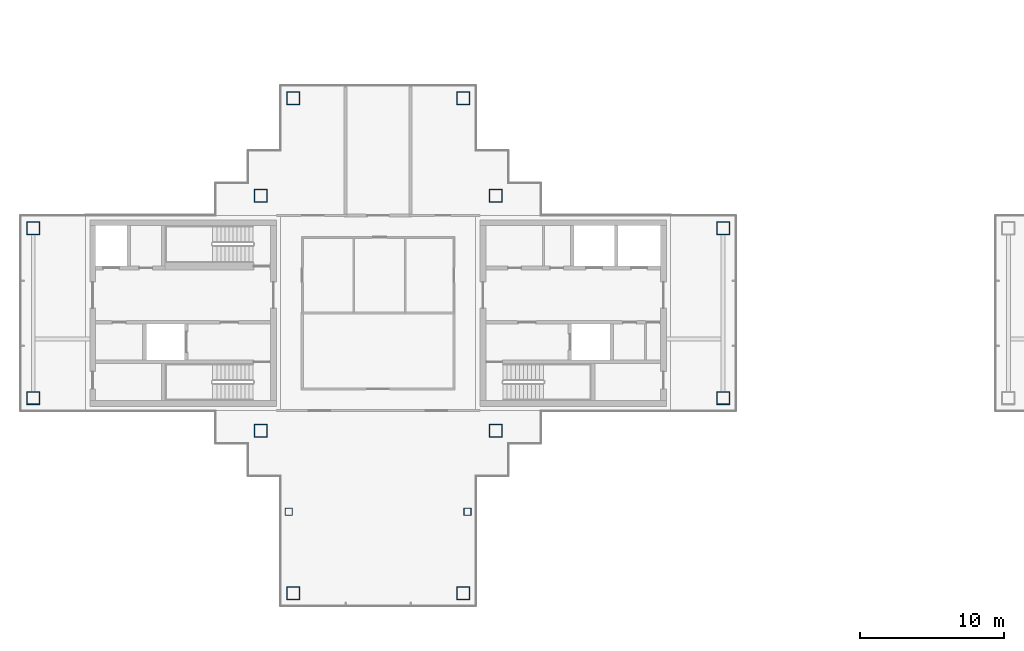
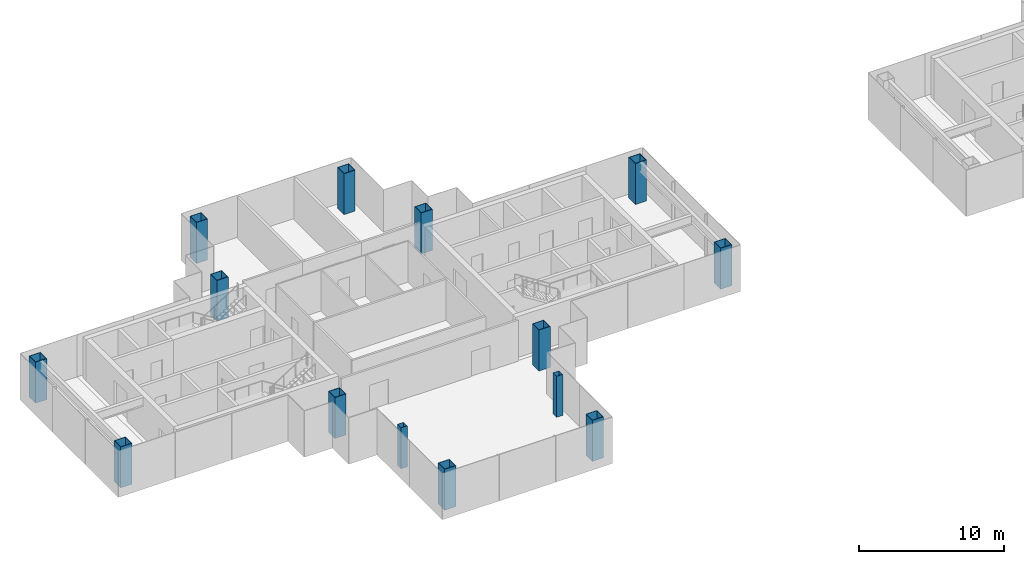
# One storey, part 1 of 15: 14 columns.
"""IFC4 building model written with IfcOpenShell, lengths in metres."""

import ifcopenshell
import ifcopenshell.guid

model = None  # the IFC model being written
_history = None  # IfcOwnerHistory: only IFC2X3 demands one
_inside = {}  # id of a spatial element -> (the spatial element, [elements in it])
_under = {}  # id of a project, library or spatial element -> (it, [spatial elements below it])
_declared = {}  # id of a project -> (the project, [libraries it declares])
_typed = {}  # id of a type object -> (the type object, [elements of that type])
_made_of = {}  # id of a material, layer set ... -> (it, [elements and type objects made of it])


def new_model(schema):
    """Start an empty IFC model of exactly this schema.

    Asked for "IFC4X3", IfcOpenShell would pick the latest addendum, in which some entities
    have other attributes; the version numbers below select the first issue.
    IFC2X3 requires an IfcOwnerHistory on every rooted entity: one is made here for all.
    """
    global model, _history
    if schema == "IFC4X3":
        model = ifcopenshell.file(schema_version=(4, 3, 0, 0))
    else:
        model = ifcopenshell.file(schema=schema)
    _inside.clear()
    _under.clear()
    _declared.clear()
    _typed.clear()
    _made_of.clear()
    _history = None
    if model.schema == "IFC2X3":
        org = make("IfcOrganization", Name="unknown")
        user = make(
            "IfcPersonAndOrganization",
            ThePerson=make("IfcPerson", FamilyName="unknown"),
            TheOrganization=org,
        )
        app = make(
            "IfcApplication",
            ApplicationDeveloper=org,
            Version="unknown",
            ApplicationFullName="unknown",
            ApplicationIdentifier="unknown",
        )
        _history = make(
            "IfcOwnerHistory",
            OwningUser=user,
            OwningApplication=app,
            ChangeAction="ADDED",
            CreationDate=0,
        )
    return model


def make(cls, **values):
    """One entity of the class cls with the attributes given. An attribute that is None is left unset."""
    return model.create_entity(
        cls, **{name: value for name, value in values.items() if value is not None}
    )


def rooted(cls, **values):
    """An entity with a GlobalId (a new one), such as an element, a storey or a relation."""
    return make(cls, GlobalId=ifcopenshell.guid.new(), OwnerHistory=_history, **values)


def si_unit(unit_type, name, prefix=None):
    """IfcSIUnit, for example si_unit("LENGTHUNIT", "METRE", prefix="MILLI")."""
    return make("IfcSIUnit", UnitType=unit_type, Prefix=prefix, Name=name)


def assignment(units):
    """IfcUnitAssignment: the units of a project."""
    return None if units is None else make("IfcUnitAssignment", Units=units)


def point(xyz):
    """IfcCartesianPoint."""
    return None if xyz is None else make("IfcCartesianPoint", Coordinates=xyz)


def direction(xyz):
    """IfcDirection."""
    return None if xyz is None else make("IfcDirection", DirectionRatios=xyz)


def frame(location, z_axis=None, x_axis=None):
    """IfcAxis2Placement3D, a coordinate frame: its origin and axes. An axis left out is left unset."""
    return make(
        "IfcAxis2Placement3D",
        Location=point(location),
        Axis=direction(z_axis),
        RefDirection=direction(x_axis),
    )


def frame_2d(location, x_axis=None):
    """IfcAxis2Placement2D, a coordinate frame in the plane: its origin and x axis."""
    return make(
        "IfcAxis2Placement2D", Location=point(location), RefDirection=direction(x_axis)
    )


def origin():
    """The frame at (0, 0, 0) with its axes left unset."""
    return frame((0.0, 0.0, 0.0))


def origin_2d():
    """The frame at (0, 0) in the plane with its x axis left unset."""
    return frame_2d((0.0, 0.0))


def place(relative_to, where):
    """IfcLocalPlacement: puts the frame where relative to a parent placement (None: the world)."""
    return make(
        "IfcLocalPlacement", PlacementRelTo=relative_to, RelativePlacement=where
    )


def context(
    kind, dimensions, precision=None, world=None, true_north=None, identifier=None
):
    """IfcGeometricRepresentationContext, for example the 3D "Model" context."""
    return make(
        "IfcGeometricRepresentationContext",
        ContextIdentifier=identifier,
        ContextType=kind,
        CoordinateSpaceDimension=dimensions,
        Precision=precision,
        WorldCoordinateSystem=world,
        TrueNorth=true_north,
    )


def subcontext(parent, identifier, kind, view, scale=None):
    """IfcGeometricRepresentationSubContext, for example "Body" below "Model"."""
    return make(
        "IfcGeometricRepresentationSubContext",
        ContextIdentifier=identifier,
        ContextType=kind,
        ParentContext=parent,
        TargetScale=scale,
        TargetView=view,
    )


def project(units=None, contexts=None):
    """IfcProject with its units and contexts."""
    return rooted(
        "IfcProject",
        Name="project",
        RepresentationContexts=contexts,
        UnitsInContext=assignment(units),
    )


def spatial(cls, under=None, at=None, **own):
    """A site, building, storey or space (cls), placed at a placement, below another one or the project."""
    s = rooted(cls, ObjectPlacement=at, **own)
    if under is not None:
        _under.setdefault(under.id(), (under, []))[1].append(s)
    return s


def profile(cls, at=None, kind="AREA", **sizes):
    """A parametric profile (cls). Its sizes go by their IFC names, for example OverallWidth=200.0."""
    return make(cls, ProfileType=kind, Position=at, **sizes)


def hollow_rectangle(**sizes):
    """IfcRectangleHollowProfileDef."""
    return profile("IfcRectangleHollowProfileDef", **sizes)


def extrude(swept, where, along, depth):
    """IfcExtrudedAreaSolid: the profile swept, set in the frame where, extruded along a direction by depth."""
    return make(
        "IfcExtrudedAreaSolid",
        SweptArea=swept,
        Position=where,
        ExtrudedDirection=direction(along),
        Depth=depth,
    )


def shape(context_of_items, identifier, shape_type, items):
    """IfcShapeRepresentation: the items that make up one representation, for example the "Body"."""
    return make(
        "IfcShapeRepresentation",
        ContextOfItems=context_of_items,
        RepresentationIdentifier=identifier,
        RepresentationType=shape_type,
        Items=items,
    )


def material(Name=None, Category=None):
    """IfcMaterial."""
    return make("IfcMaterial", Name=Name, Category=Category)


def material_profile(
    of_material, cross_section, Name=None, Category=None, Priority=None
):
    """IfcMaterialProfile: a cross section and its material."""
    return make(
        "IfcMaterialProfile",
        Name=Name,
        Material=of_material,
        Profile=cross_section,
        Priority=Priority,
        Category=Category,
    )


def profile_set(profiles, Name=None, composite=None):
    """IfcMaterialProfileSet."""
    return make(
        "IfcMaterialProfileSet",
        Name=Name,
        MaterialProfiles=profiles,
        CompositeProfile=composite,
    )


def made_of(thing, what):
    """Note that an element or type object is made of a material, layer set ...; save() writes the relation."""
    if what is not None:
        _made_of.setdefault(what.id(), (what, []))[1].append(thing)
    return thing


def type_object(cls, material=None, **own):
    """A type object (cls), such as IfcWallType, which elements share."""
    return made_of(rooted(cls, **own), material)


def element(
    cls,
    number,
    at=None,
    inside=None,
    cuts=None,
    type_object=None,
    material=None,
    context=None,
    identifier="Body",
    shape_type=None,
    held_by="IfcProductDefinitionShape",
    body=None,
    shapes=None,
    **own,
):
    """One element of the class cls, such as IfcWall. Its Tag is "e" and its number.

    at: its placement. inside: the storey or other place that contains it. cuts: it is an
    opening in that element (IfcRelVoidsElement). A single representation is given by context,
    identifier, shape_type and body (its items); several are given by shapes. held_by: the class
    of the entity that holds the representations. save() writes the other relations.
    """
    e = rooted(cls, Tag="e%d" % number, ObjectPlacement=at, **own)
    if body is not None:
        shapes = [shape(context, identifier, shape_type, body)]
    if shapes is not None:
        e.Representation = make(held_by, Representations=shapes)
    if inside is not None:
        _inside.setdefault(inside.id(), (inside, []))[1].append(e)
    if cuts is not None:
        rooted(
            "IfcRelVoidsElement", RelatingBuildingElement=cuts, RelatedOpeningElement=e
        )
    if type_object is not None:
        _typed.setdefault(type_object.id(), (type_object, []))[1].append(e)
    return made_of(e, material)


def aggregate(whole, parts):
    """IfcRelAggregates: a whole, such as a stair, and the parts it consists of."""
    return rooted("IfcRelAggregates", RelatingObject=whole, RelatedObjects=parts)


def save(model, path):
    """Write the relations noted so far, then the file.

    IfcRelAggregates (storeys below a building ...), IfcRelContainedInSpatialStructure (elements
    in a storey), IfcRelDefinesByType, IfcRelAssociatesMaterial and IfcRelDeclares: one each for
    every whole, place, type object, material and project.
    """
    for whole, parts in _under.values():
        aggregate(whole, parts)
    for where, things in _inside.values():
        rooted(
            "IfcRelContainedInSpatialStructure",
            RelatedElements=things,
            RelatingStructure=where,
        )
    for kind, things in _typed.values():
        rooted("IfcRelDefinesByType", RelatedObjects=things, RelatingType=kind)
    for what, things in _made_of.values():
        rooted("IfcRelAssociatesMaterial", RelatedObjects=things, RelatingMaterial=what)
    for by, libraries in _declared.values():
        rooted("IfcRelDeclares", RelatingContext=by, RelatedDefinitions=libraries)
    model.write(path)


model = new_model("IFC4")

# Units and contexts
model_context = context("Model", 3, precision=1e-05, world=origin(), true_north=direction((0.0, 1.0)))
body_context = subcontext(model_context, "Body", "Model", "MODEL_VIEW")
ifc_project = project(units=[si_unit("LENGTHUNIT", "METRE"), si_unit("AREAUNIT", "SQUARE_METRE"), si_unit("VOLUMEUNIT", "CUBIC_METRE"), si_unit("PLANEANGLEUNIT", "RADIAN"), si_unit("MASSUNIT", "GRAM", prefix="KILO")], contexts=[model_context])

# Site, building, storey
site_placement = place(None, origin())
site = spatial("IfcSite", under=ifc_project, at=site_placement, CompositionType="ELEMENT")
building_placement = place(site_placement, origin())
building = spatial("IfcBuilding", under=site, at=building_placement, Name="Shamsa Quay Exchange Towers", CompositionType="ELEMENT")
storey_placement = place(building_placement, frame((0.0, 0.0, 269.39990234375)))
storey = spatial("IfcBuildingStorey", under=building, at=storey_placement, Name="L65", CompositionType="ELEMENT", Elevation=269.39990234375)

# Columns
ifc_material_1 = material(Name="Concrete-filled steel tube S355 / C60/75", Category="concrete")
ifc_material_profile_1 = material_profile(ifc_material_1, hollow_rectangle(XDim=0.5, YDim=0.5, WallThickness=0.01611328125, at=origin_2d()), Name="CFT 500x500x16")
ifc_profile_set_1 = profile_set([ifc_material_profile_1], Name="Concrete-filled steel tube S355 / C60/75")
column_type_1 = type_object("IfcColumnType", Name="Column CFT 500x500x16", PredefinedType="COLUMN", material=ifc_profile_set_1)
for number, where, name in (
    (1, (-39.9375, -13.75, 0.0), "Perimeter column T1-CP19"),
    (2, (-27.5625, -13.75, 0.0), "Perimeter column T1-CP22"),
):
    element("IfcColumn", number, at=place(storey_placement, frame(where)), inside=storey, type_object=column_type_1, Name=name, PredefinedType="COLUMN", context=body_context, shape_type="SweptSolid", body=[
        extrude(hollow_rectangle(XDim=0.5, YDim=0.5, WallThickness=0.01611328125, at=origin_2d()), origin(), (0.0, 0.0, 1.0), 3.4501953125),
    ])
ifc_material_2 = material(Name="Concrete-filled steel tube S355 / C80/95", Category="concrete")
ifc_material_profile_2 = material_profile(ifc_material_2, hollow_rectangle(XDim=0.89990234375, YDim=0.89990234375, WallThickness=0.035888671875, at=origin_2d()), Name="CFT 900x900x36")
ifc_profile_set_2 = profile_set([ifc_material_profile_2], Name="Concrete-filled steel tube S355 / C80/95")
column_type_2 = type_object("IfcColumnType", Name="Column CFT 900x900x36", PredefinedType="COLUMN", material=ifc_profile_set_2)
for number, where, name in (
    (3, (-25.625, 8.125, 0.0), "Mega column T1-CM01"),
    (4, (-25.625, -8.125, 0.0), "Mega column T1-CM02"),
    (5, (-41.875, 8.125, 0.0), "Mega column T1-CM03"),
    (6, (-41.875, -8.125, 0.0), "Mega column T1-CM04"),
    (7, (-9.875, -5.875, 0.0), "Mega column T1-CM05"),
    (8, (-9.875, 5.875, 0.0), "Mega column T1-CM07"),
    (9, (-57.625, -5.875, 0.0), "Mega column T1-CM09"),
    (10, (-57.625, 5.875, 0.0), "Mega column T1-CM11"),
    (11, (-39.625, 14.875, 0.0), "Mega column T1-CM13"),
    (12, (-27.875, 14.875, 0.0), "Mega column T1-CM16"),
    (13, (-39.625, -19.375, 0.0), "Mega column T1-CM20"),
    (14, (-27.875, -19.375, 0.0), "Mega column T1-CM23"),
):
    element("IfcColumn", number, at=place(storey_placement, frame(where)), inside=storey, type_object=column_type_2, Name=name, PredefinedType="COLUMN", context=body_context, shape_type="SweptSolid", body=[
        extrude(hollow_rectangle(XDim=0.89990234375, YDim=0.89990234375, WallThickness=0.035888671875, at=origin_2d()), origin(), (0.0, 0.0, 1.0), 3.4501953125),
    ])

save(model, "model.ifc")
